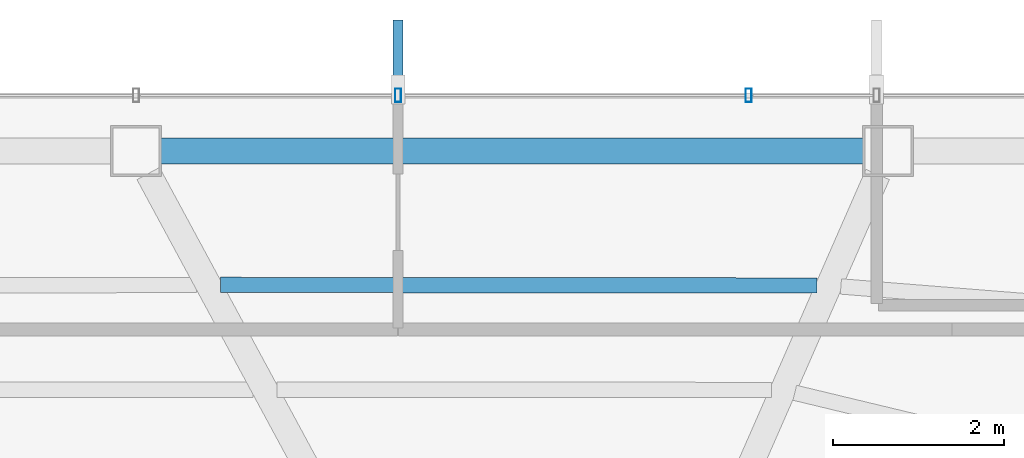
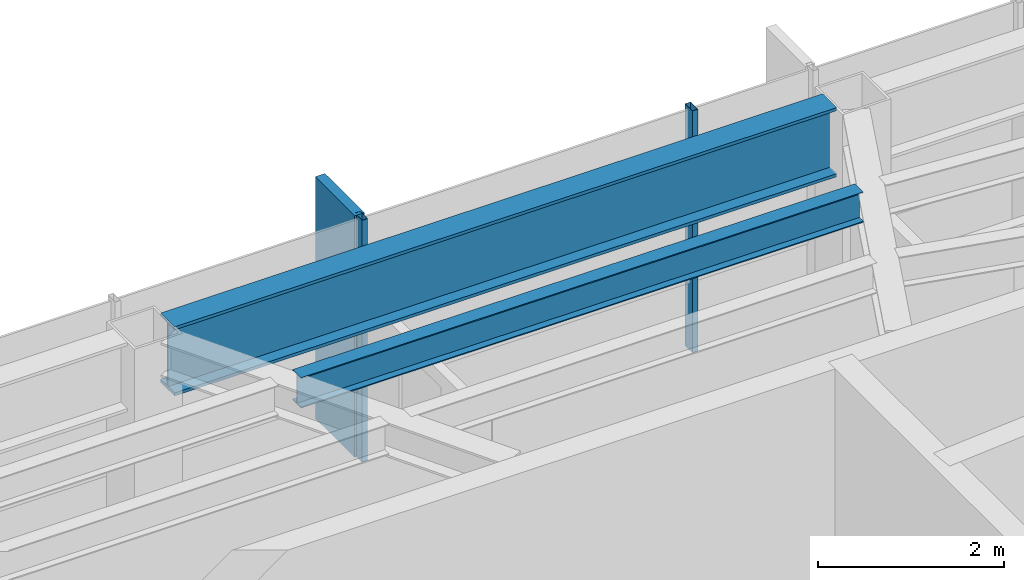
# One storey, part 16 of 28: 3 members, 2 beams, 1 element without a shape of its own.
"""IFC4 building model written with IfcOpenShell, lengths in metres."""

from ifc_helpers import new_model, si_unit, direction, frame, origin, origin_2d, place, context, subcontext, project, spatial, rectangle, hollow_rectangle, i_section, extrude, material, layer, layer_set, material_profile, profile_set, type_object, element, aggregate, save


model = new_model("IFC4")

# Units and contexts
model_context = context("Model", 3, precision=1e-05, world=origin(), true_north=direction((0.0, 1.0)))
body_context = subcontext(model_context, "Body", "Model", "MODEL_VIEW")
ifc_project = project(units=[si_unit("LENGTHUNIT", "METRE"), si_unit("AREAUNIT", "SQUARE_METRE"), si_unit("VOLUMEUNIT", "CUBIC_METRE"), si_unit("PLANEANGLEUNIT", "RADIAN"), si_unit("MASSUNIT", "GRAM", prefix="KILO")], contexts=[model_context])

# Site, building, storey
site_placement = place(None, origin())
site = spatial("IfcSite", under=ifc_project, at=site_placement, CompositionType="ELEMENT")
building_placement = place(site_placement, origin())
building = spatial("IfcBuilding", under=site, at=building_placement, Name="Zarrinselat Tower", CompositionType="ELEMENT")
storey_placement = place(building_placement, frame((0.0, 0.0, 222.360107421875)))
storey = spatial("IfcBuildingStorey", under=building, at=storey_placement, Name="L55", CompositionType="ELEMENT", Elevation=222.360107421875)

# Beams
ifc_material_1 = material(Name="Steel S460M", Category="steel")
ifc_material_profile_1 = material_profile(ifc_material_1, i_section(OverallWidth=0.302001953125, OverallDepth=0.909912109375, WebThickness=0.02099609375, FlangeThickness=0.0400390625, at=origin_2d()), Name="HEM 900")
ifc_profile_set_1 = profile_set([ifc_material_profile_1], Name="Steel S460M")
beam_type_1 = type_object("IfcBeamType", Name="BM-HEM900", PredefinedType="BEAM", material=ifc_profile_set_1)
beam_1_placement = place(storey_placement, frame((39.0703125, 47.644287109375, 2.724853515625), z_axis=(1.0, 0.0, 0.0), x_axis=(0.0, 1.0, 0.0)))
element("IfcBeam", 1, at=beam_1_placement, inside=storey, type_object=beam_type_1, Name="L55 Perimeter Spandrel Girder SP02", PredefinedType="BEAM", context=body_context, shape_type="SweptSolid", body=[
    extrude(i_section(OverallWidth=0.302001953125, OverallDepth=0.909912109375, WebThickness=0.02099609375, FlangeThickness=0.0400390625, at=origin_2d()), origin(), (0.0, 0.0, 1.0), 8.240966796875),
])
ifc_material_2 = material(Name="Steel S355J2", Category="steel")
ifc_material_profile_2 = material_profile(ifc_material_2, i_section(OverallWidth=0.179931640625, OverallDepth=0.39990234375, WebThickness=0.008544921875, FlangeThickness=0.013427734375, at=origin_2d()), Name="IPE 400")
ifc_profile_set_2 = profile_set([ifc_material_profile_2], Name="Steel S355J2")
beam_type_2 = type_object("IfcBeamType", Name="BM-IPE400", PredefinedType="JOIST", material=ifc_profile_set_2)
beam_2_placement = place(storey_placement, frame((39.771240234375, 46.073486328125, 2.97998046875), z_axis=(0.99999948796, -0.001011968634, 0.0), x_axis=(0.001011968634, 0.99999948796, 0.0)))
element("IfcBeam", 2, at=beam_2_placement, inside=storey, type_object=beam_type_2, Name="L55 Composite Floor Joist 7-1", PredefinedType="JOIST", context=body_context, shape_type="SweptSolid", body=[
    extrude(i_section(OverallWidth=0.179931640625, OverallDepth=0.39990234375, WebThickness=0.008544921875, FlangeThickness=0.013427734375, at=origin_2d()), origin(), (0.0, 0.0, 1.0), 6.996337890625),
])

# Curtain wall, members
ifc_material_3 = material(Name="Extruded Aluminium Alloy EN AW-6063 T6", Category="aluminium")
ifc_layer = layer(ifc_material_3, 0.169921875)
ifc_layer_set = layer_set([ifc_layer], Name="Extruded Aluminium Alloy EN AW-6063 T6")
curtain_wall_type = type_object("IfcCurtainWallType", Name="CWS-RES", PredefinedType="NOTDEFINED", material=ifc_layer_set)
curtain_wall_placement = place(storey_placement, origin())
curtain_wall = element("IfcCurtainWall", 3, at=curtain_wall_placement, inside=storey, type_object=curtain_wall_type, Name="L55 Unitised Curtain Wall CW-L55-E01", PredefinedType="NOTDEFINED")
ifc_material_4 = material(Name="Extruded Aluminium Alloy EN AW-6063 T6", Category="aluminium")
ifc_material_profile_3 = material_profile(ifc_material_4, hollow_rectangle(XDim=0.070068359375, YDim=0.159912109375, WallThickness=0.00390625, at=origin_2d()), Name="RHS 160x70x4")
ifc_profile_set_3 = profile_set([ifc_material_profile_3], Name="Extruded Aluminium Alloy EN AW-6063 T6")
member_type_1 = type_object("IfcMemberType", Name="MEM-CW-MUL2", PredefinedType="MULLION", material=ifc_profile_set_3)
member_1_placement = place(storey_placement, frame((45.965087890625, 48.29443359375, 0.0), z_axis=(0.0, 0.0, 1.0), x_axis=(-1.0, 0.0, 0.0)))
member_1 = element("IfcMember", 4, at=member_1_placement, type_object=member_type_1, Name="CW-L55-E01 Mullion 4", PredefinedType="MULLION", context=body_context, shape_type="SweptSolid", body=[
    extrude(hollow_rectangle(XDim=0.070068359375, YDim=0.159912109375, WallThickness=0.00390625, at=origin_2d()), origin(), (0.0, 0.0, 1.0), 3.179931640625),
])
member_2_placement = place(storey_placement, frame((41.855224609375, 48.29443359375, 0.0), z_axis=(0.0, 0.0, 1.0), x_axis=(-1.0, 0.0, 0.0)))
member_2 = element("IfcMember", 5, at=member_2_placement, type_object=member_type_1, Name="CW-L55-E01 Mullion 5", PredefinedType="MULLION", context=body_context, shape_type="SweptSolid", body=[
    extrude(hollow_rectangle(XDim=0.070068359375, YDim=0.159912109375, WallThickness=0.00390625, at=origin_2d()), origin(), (0.0, 0.0, 1.0), 3.179931640625),
])
ifc_material_5 = material(Name="Honed Cream Travertine Stone", Category="masonry")
ifc_material_profile_4 = material_profile(ifc_material_5, rectangle(XDim=0.1201171875, YDim=0.85009765625, at=origin_2d()), Name="FIN 850x120")
ifc_profile_set_4 = profile_set([ifc_material_profile_4], Name="Honed Cream Travertine Stone")
member_type_2 = type_object("IfcMemberType", Name="MEM-STONE-FIN", PredefinedType="USERDEFINED", material=ifc_profile_set_4)
member_3_placement = place(storey_placement, frame((41.855224609375, 48.75439453125, 0.0), z_axis=(0.0, 0.0, 1.0), x_axis=(1.0, 0.0, 0.0)))
member_3 = element("IfcMember", 6, at=member_3_placement, type_object=member_type_2, Name="L55 Stone Shading Fin CW-L55-E01-05", ObjectType="FIN", PredefinedType="USERDEFINED", context=body_context, shape_type="SweptSolid", body=[
    extrude(rectangle(XDim=0.1201171875, YDim=0.85009765625, at=origin_2d()), origin(), (0.0, 0.0, 1.0), 3.179931640625),
])
aggregate(curtain_wall, [member_1, member_2, member_3])

save(model, "model.ifc")
